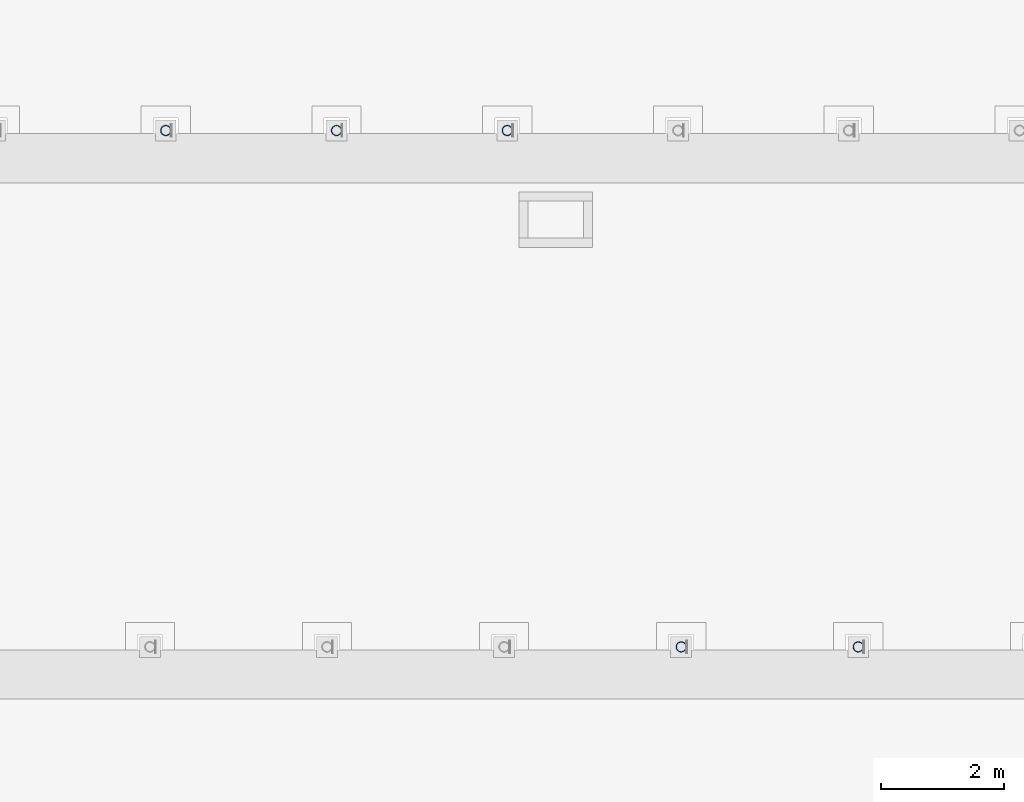
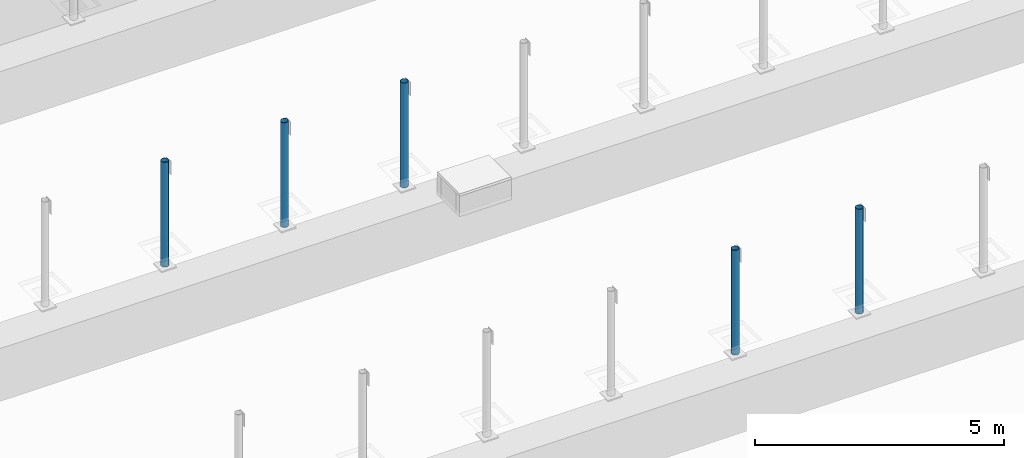
# One storey, part 12 of 47: 5 members.
"""IFC4 building model written with IfcOpenShell, lengths in metres."""

from ifc_helpers import new_model, si_unit, direction, frame, origin, origin_2d, place, context, subcontext, project, spatial, hollow_circle, extrude, material, material_profile, profile_set, type_object, element, save


model = new_model("IFC4")

# Units and contexts
model_context = context("Model", 3, precision=1e-05, world=origin(), true_north=direction((0.0, 1.0)))
body_context = subcontext(model_context, "Body", "Model", "MODEL_VIEW")
ifc_project = project(units=[si_unit("LENGTHUNIT", "METRE"), si_unit("AREAUNIT", "SQUARE_METRE"), si_unit("VOLUMEUNIT", "CUBIC_METRE"), si_unit("PLANEANGLEUNIT", "RADIAN"), si_unit("MASSUNIT", "GRAM", prefix="KILO")], contexts=[model_context])

# Site, building, storey
site_placement = place(None, origin())
site = spatial("IfcSite", under=ifc_project, at=site_placement, CompositionType="ELEMENT")
building_placement = place(site_placement, origin())
building = spatial("IfcBuilding", under=site, at=building_placement, Name="Larchfold Concert Hall", CompositionType="ELEMENT")
storey_placement = place(building_placement, frame((0.0, 0.0, 24.0)))
storey = spatial("IfcBuildingStorey", under=building, at=storey_placement, Name="L05", CompositionType="ELEMENT", Elevation=24.0)

# Members
ifc_material = material(Name="Steel S355J2H", Category="steel")
ifc_material_profile = material_profile(ifc_material, hollow_circle(Radius=0.084228515625, WallThickness=0.008056640625, at=origin_2d()))
ifc_profile_set = profile_set([ifc_material_profile], Name="Steel S355J2H")
member_type = type_object("IfcMemberType", Name="Truss post CHS 168.3x8", PredefinedType="POST", material=ifc_profile_set)
for number, where, z_axis, x_axis, name in (
    (1, (44.040283203125, 85.050048828125, 2.080078125), (0.0, 0.0, 1.0), (1.0, 0.0, 0.0), "Member TP026"),
    (2, (46.9208984375, 85.050048828125, 2.080078125), (0.0, 0.0, 1.0), (1.0, 0.0, 0.0), "Member TP027"),
    (3, (35.6552734375, 93.4501953125, 2.080078125), (0.0, 0.0, 1.0), (1.0, 0.0, 0.0), "Member TP033"),
    (4, (38.43310546875, 93.4501953125, 2.080078125), (0.0, 0.0, 1.0), (1.0, 0.0, 0.0), "Member TP034"),
    (5, (41.211181640625, 93.4501953125, 2.080078125), (0.0, 0.0, 1.0), (1.0, 0.0, 0.0), "Member TP035"),
):
    element("IfcMember", number, at=place(storey_placement, frame(where, z_axis=z_axis, x_axis=x_axis)), inside=storey, type_object=member_type, Name=name, PredefinedType="POST", context=body_context, shape_type="SweptSolid", body=[
        extrude(hollow_circle(Radius=0.084228515625, WallThickness=0.008056640625, at=origin_2d()), origin(), (0.0, 0.0, 1.0), 2.570068359375),
    ])

save(model, "model.ifc")
